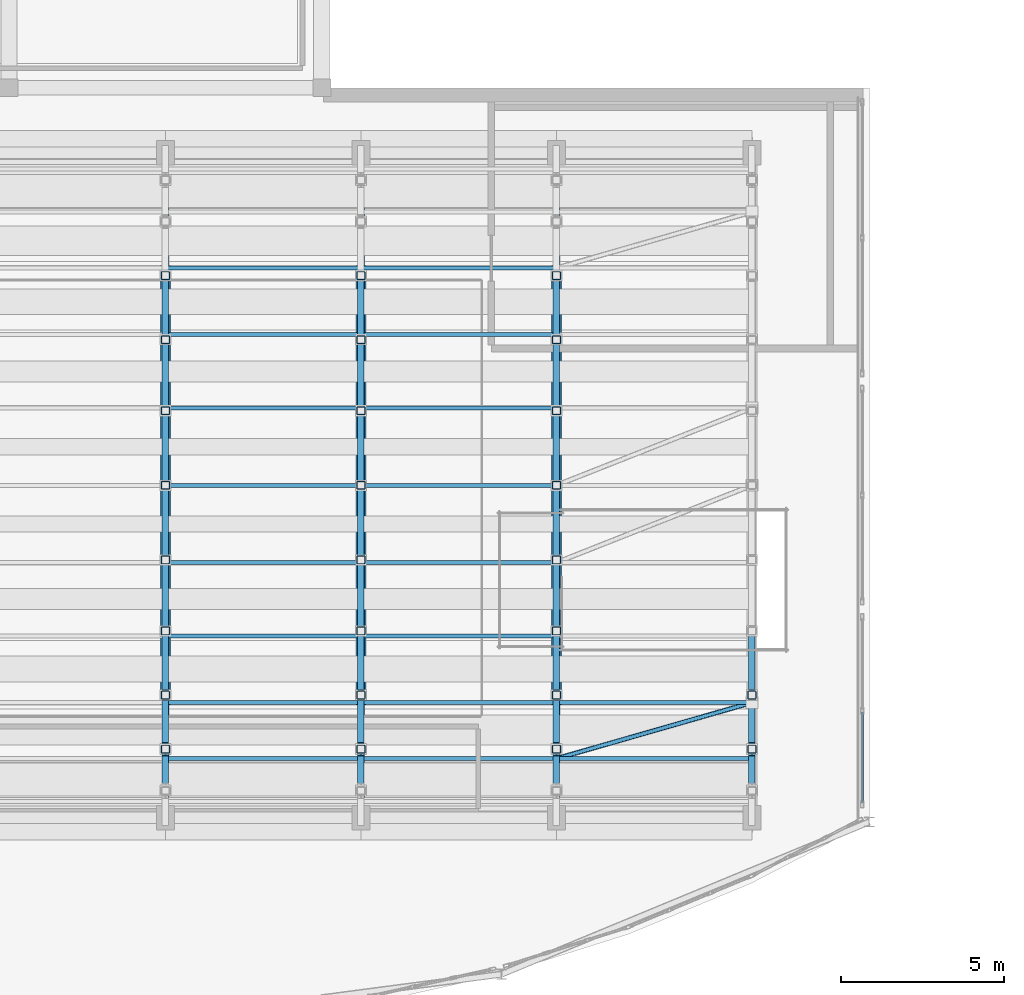
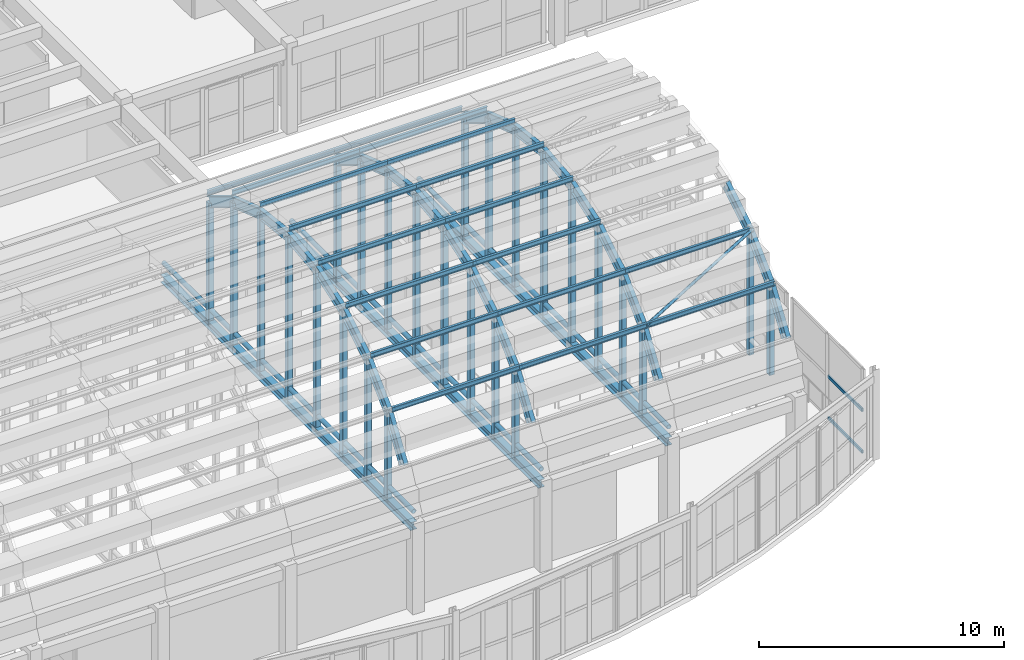
# One storey, part 12 of 91: 50 members, 30 beams, 1 element without a shape of its own.
"""IFC4 building model written with IfcOpenShell, lengths in metres."""

from ifc_helpers import new_model, si_unit, direction, frame, origin, origin_2d, place, context, subcontext, project, spatial, hollow_rectangle, hollow_circle, i_section, extrude, material, layer, layer_set, material_profile, profile_set, type_object, element, aggregate, save


model = new_model("IFC4")

# Units and contexts
model_context = context("Model", 3, precision=1e-05, world=origin(), true_north=direction((0.0, 1.0)))
body_context = subcontext(model_context, "Body", "Model", "MODEL_VIEW")
ifc_project = project(units=[si_unit("LENGTHUNIT", "METRE"), si_unit("AREAUNIT", "SQUARE_METRE"), si_unit("VOLUMEUNIT", "CUBIC_METRE"), si_unit("PLANEANGLEUNIT", "RADIAN"), si_unit("MASSUNIT", "GRAM", prefix="KILO")], contexts=[model_context])

# Site, building, storey
site_placement = place(None, origin())
site = spatial("IfcSite", under=ifc_project, at=site_placement, CompositionType="ELEMENT")
building_placement = place(site_placement, origin())
building = spatial("IfcBuilding", under=site, at=building_placement, Name="Tarnavel Promenade Courthouse", CompositionType="ELEMENT")
storey_placement = place(building_placement, frame((0.0, 0.0, 9.89990234375)))
storey = spatial("IfcBuildingStorey", under=building, at=storey_placement, Name="L03", CompositionType="ELEMENT", Elevation=9.89990234375)

# Beams
ifc_material_1 = material(Name="Steel S355J2", Category="steel")
ifc_material_profile_1 = material_profile(ifc_material_1, i_section(OverallWidth=0.199951171875, OverallDepth=0.5, WebThickness=0.01025390625, FlangeThickness=0.01611328125, FilletRadius=0.02099609375, at=origin_2d()), Name="IPE 500")
ifc_profile_set_1 = profile_set([ifc_material_profile_1], Name="Steel S355J2")
beam_type_1 = type_object("IfcBeamType", Name="Steel S355J2 BM-AR-IPE500 (IPE 500)", PredefinedType="T_BEAM", material=ifc_profile_set_1)
beam_1_placement = place(storey_placement, frame((33.60009765625, 15.62890625, 6.648193359375), z_axis=(0.0, 0.553794535045, 0.832653357019), x_axis=(-1.0, 0.0, 0.0)))
element("IfcBeam", 1, at=beam_1_placement, inside=storey, type_object=beam_type_1, Name="V4 Barrel Vault Arch Rib 05 Chord 02", PredefinedType="T_BEAM", context=body_context, shape_type="SweptSolid", body=[
    extrude(i_section(OverallWidth=0.199951171875, OverallDepth=0.5, WebThickness=0.01025390625, FlangeThickness=0.01611328125, FilletRadius=0.02099609375, at=origin_2d()), origin(), (0.0, 0.0, 1.0), 2.302490234375),
])
beam_2_placement = place(storey_placement, frame((33.60009765625, 16.904052734375, 8.5654296875), z_axis=(0.0, 0.721173265551, 0.692754733693), x_axis=(-1.0, 0.0, 0.0)))
element("IfcBeam", 2, at=beam_2_placement, inside=storey, type_object=beam_type_1, Name="V4 Barrel Vault Arch Rib 05 Chord 03", PredefinedType="T_BEAM", context=body_context, shape_type="SweptSolid", body=[
    extrude(i_section(OverallWidth=0.199951171875, OverallDepth=0.5, WebThickness=0.01025390625, FlangeThickness=0.01611328125, FilletRadius=0.02099609375, at=origin_2d()), origin(), (0.0, 0.0, 1.0), 2.30224609375),
])
for number, where, z_axis, x_axis, name in (
    (3, (33.60009765625, 18.564453125, 10.160400390625), (0.0, 0.854305009105, 0.519772018696), (-1.0, 0.0, 0.0), "V4 Barrel Vault Arch Rib 05 Chord 04"),
    (4, (33.60009765625, 20.531494140625, 11.357177734375), (0.0, 0.946692570393, 0.322138444092), (-1.0, 0.0, 0.0), "V4 Barrel Vault Arch Rib 05 Chord 05"),
    (5, (33.60009765625, 22.711181640625, 12.098876953125), (0.0, 0.994030256649, 0.10910476097), (-1.0, 0.0, 0.0), "V4 Barrel Vault Arch Rib 05 Chord 06"),
    (6, (33.60009765625, 25.0, 12.35009765625), (0.0, 0.994030256649, -0.10910476097), (-1.0, 0.0, 0.0), "V4 Barrel Vault Arch Rib 05 Chord 07"),
    (7, (33.60009765625, 27.288818359375, 12.098876953125), (0.0, 0.946692570393, -0.322138444092), (-1.0, 0.0, 0.0), "V4 Barrel Vault Arch Rib 05 Chord 08"),
    (8, (33.60009765625, 29.468505859375, 11.357177734375), (0.0, 0.854305009105, -0.519772018696), (-1.0, 0.0, 0.0), "V4 Barrel Vault Arch Rib 05 Chord 09"),
    (9, (39.60009765625, 15.62890625, 6.648193359375), (0.0, 0.553794535045, 0.832653357019), (-1.0, 0.0, 0.0), "V4 Barrel Vault Arch Rib 06 Chord 02"),
):
    element("IfcBeam", number, at=place(storey_placement, frame(where, z_axis=z_axis, x_axis=x_axis)), inside=storey, type_object=beam_type_1, Name=name, PredefinedType="T_BEAM", context=body_context, shape_type="SweptSolid", body=[
        extrude(i_section(OverallWidth=0.199951171875, OverallDepth=0.5, WebThickness=0.01025390625, FlangeThickness=0.01611328125, FilletRadius=0.02099609375, at=origin_2d()), origin(), (0.0, 0.0, 1.0), 2.302490234375),
    ])
beam_3_placement = place(storey_placement, frame((39.60009765625, 16.904052734375, 8.5654296875), z_axis=(0.0, 0.721173265551, 0.692754733693), x_axis=(-1.0, 0.0, 0.0)))
element("IfcBeam", 10, at=beam_3_placement, inside=storey, type_object=beam_type_1, Name="V4 Barrel Vault Arch Rib 06 Chord 03", PredefinedType="T_BEAM", context=body_context, shape_type="SweptSolid", body=[
    extrude(i_section(OverallWidth=0.199951171875, OverallDepth=0.5, WebThickness=0.01025390625, FlangeThickness=0.01611328125, FilletRadius=0.02099609375, at=origin_2d()), origin(), (0.0, 0.0, 1.0), 2.30224609375),
])
for number, where, z_axis, x_axis, name in (
    (11, (39.60009765625, 18.564453125, 10.160400390625), (0.0, 0.854305009105, 0.519772018696), (-1.0, 0.0, 0.0), "V4 Barrel Vault Arch Rib 06 Chord 04"),
    (12, (39.60009765625, 20.531494140625, 11.357177734375), (0.0, 0.946692570393, 0.322138444092), (-1.0, 0.0, 0.0), "V4 Barrel Vault Arch Rib 06 Chord 05"),
    (13, (39.60009765625, 22.711181640625, 12.098876953125), (0.0, 0.994030256649, 0.10910476097), (-1.0, 0.0, 0.0), "V4 Barrel Vault Arch Rib 06 Chord 06"),
    (14, (39.60009765625, 25.0, 12.35009765625), (0.0, 0.994030256649, -0.10910476097), (-1.0, 0.0, 0.0), "V4 Barrel Vault Arch Rib 06 Chord 07"),
    (15, (39.60009765625, 27.288818359375, 12.098876953125), (0.0, 0.946692570393, -0.322138444092), (-1.0, 0.0, 0.0), "V4 Barrel Vault Arch Rib 06 Chord 08"),
    (16, (39.60009765625, 29.468505859375, 11.357177734375), (0.0, 0.854305009105, -0.519772018696), (-1.0, 0.0, 0.0), "V4 Barrel Vault Arch Rib 06 Chord 09"),
    (17, (45.60009765625, 15.62890625, 6.648193359375), (0.0, 0.553794535045, 0.832653357019), (-1.0, 0.0, 0.0), "V4 Barrel Vault Arch Rib 07 Chord 02"),
):
    element("IfcBeam", number, at=place(storey_placement, frame(where, z_axis=z_axis, x_axis=x_axis)), inside=storey, type_object=beam_type_1, Name=name, PredefinedType="T_BEAM", context=body_context, shape_type="SweptSolid", body=[
        extrude(i_section(OverallWidth=0.199951171875, OverallDepth=0.5, WebThickness=0.01025390625, FlangeThickness=0.01611328125, FilletRadius=0.02099609375, at=origin_2d()), origin(), (0.0, 0.0, 1.0), 2.302490234375),
    ])
beam_4_placement = place(storey_placement, frame((45.60009765625, 16.904052734375, 8.5654296875), z_axis=(0.0, 0.721173265551, 0.692754733693), x_axis=(-1.0, 0.0, 0.0)))
element("IfcBeam", 18, at=beam_4_placement, inside=storey, type_object=beam_type_1, Name="V4 Barrel Vault Arch Rib 07 Chord 03", PredefinedType="T_BEAM", context=body_context, shape_type="SweptSolid", body=[
    extrude(i_section(OverallWidth=0.199951171875, OverallDepth=0.5, WebThickness=0.01025390625, FlangeThickness=0.01611328125, FilletRadius=0.02099609375, at=origin_2d()), origin(), (0.0, 0.0, 1.0), 2.30224609375),
])
for number, where, z_axis, x_axis, name in (
    (19, (45.60009765625, 18.564453125, 10.160400390625), (0.0, 0.854305009105, 0.519772018696), (-1.0, 0.0, 0.0), "V4 Barrel Vault Arch Rib 07 Chord 04"),
    (20, (45.60009765625, 20.531494140625, 11.357177734375), (0.0, 0.946692570393, 0.322138444092), (-1.0, 0.0, 0.0), "V4 Barrel Vault Arch Rib 07 Chord 05"),
    (21, (45.60009765625, 22.711181640625, 12.098876953125), (0.0, 0.994030256649, 0.10910476097), (-1.0, 0.0, 0.0), "V4 Barrel Vault Arch Rib 07 Chord 06"),
    (22, (45.60009765625, 25.0, 12.35009765625), (0.0, 0.994030256649, -0.10910476097), (-1.0, 0.0, 0.0), "V4 Barrel Vault Arch Rib 07 Chord 07"),
    (23, (45.60009765625, 27.288818359375, 12.098876953125), (0.0, 0.946692570393, -0.322138444092), (-1.0, 0.0, 0.0), "V4 Barrel Vault Arch Rib 07 Chord 08"),
    (24, (45.60009765625, 29.468505859375, 11.357177734375), (0.0, 0.854305009105, -0.519772018696), (-1.0, 0.0, 0.0), "V4 Barrel Vault Arch Rib 07 Chord 09"),
    (25, (51.60009765625, 15.62890625, 6.648193359375), (0.0, 0.553794535045, 0.832653357019), (-1.0, 0.0, 0.0), "V4 Barrel Vault Arch Rib 08 Chord 02"),
):
    element("IfcBeam", number, at=place(storey_placement, frame(where, z_axis=z_axis, x_axis=x_axis)), inside=storey, type_object=beam_type_1, Name=name, PredefinedType="T_BEAM", context=body_context, shape_type="SweptSolid", body=[
        extrude(i_section(OverallWidth=0.199951171875, OverallDepth=0.5, WebThickness=0.01025390625, FlangeThickness=0.01611328125, FilletRadius=0.02099609375, at=origin_2d()), origin(), (0.0, 0.0, 1.0), 2.302490234375),
    ])
beam_5_placement = place(storey_placement, frame((51.60009765625, 16.904052734375, 8.5654296875), z_axis=(0.0, 0.721173265551, 0.692754733693), x_axis=(-1.0, 0.0, 0.0)))
element("IfcBeam", 26, at=beam_5_placement, inside=storey, type_object=beam_type_1, Name="V4 Barrel Vault Arch Rib 08 Chord 03", PredefinedType="T_BEAM", context=body_context, shape_type="SweptSolid", body=[
    extrude(i_section(OverallWidth=0.199951171875, OverallDepth=0.5, WebThickness=0.01025390625, FlangeThickness=0.01611328125, FilletRadius=0.02099609375, at=origin_2d()), origin(), (0.0, 0.0, 1.0), 2.30224609375),
])
beam_6_placement = place(storey_placement, frame((51.60009765625, 18.564453125, 10.160400390625), z_axis=(0.0, 0.854305009105, 0.519772018696), x_axis=(-1.0, 0.0, 0.0)))
element("IfcBeam", 27, at=beam_6_placement, inside=storey, type_object=beam_type_1, Name="V4 Barrel Vault Arch Rib 08 Chord 04", PredefinedType="T_BEAM", context=body_context, shape_type="SweptSolid", body=[
    extrude(i_section(OverallWidth=0.199951171875, OverallDepth=0.5, WebThickness=0.01025390625, FlangeThickness=0.01611328125, FilletRadius=0.02099609375, at=origin_2d()), origin(), (0.0, 0.0, 1.0), 2.302490234375),
])
ifc_material_profile_2 = material_profile(ifc_material_1, i_section(OverallWidth=0.300048828125, OverallDepth=0.39990234375, WebThickness=0.013427734375, FlangeThickness=0.02392578125, FilletRadius=0.027099609375, at=origin_2d()), Name="HEB 400")
ifc_profile_set_2 = profile_set([ifc_material_profile_2], Name="Steel S355J2")
beam_type_2 = type_object("IfcBeamType", Name="Steel S355J2 BM-ST-HEB400 (HEB 400)", PredefinedType="T_BEAM", material=ifc_profile_set_2)
for number, where, z_axis, x_axis, name in (
    (28, (33.60009765625, 14.800048828125, 4.1201171875), (0.0, 1.0, 0.0), (-1.0, 0.0, 0.0), "V4 Barrel Vault Tie Girder 05"),
    (29, (39.60009765625, 14.800048828125, 4.1201171875), (0.0, 1.0, 0.0), (-1.0, 0.0, 0.0), "V4 Barrel Vault Tie Girder 06"),
    (30, (45.60009765625, 14.800048828125, 4.1201171875), (0.0, 1.0, 0.0), (-1.0, 0.0, 0.0), "V4 Barrel Vault Tie Girder 07"),
):
    element("IfcBeam", number, at=place(storey_placement, frame(where, z_axis=z_axis, x_axis=x_axis)), inside=storey, type_object=beam_type_2, Name=name, PredefinedType="T_BEAM", context=body_context, shape_type="SweptSolid", body=[
        extrude(i_section(OverallWidth=0.300048828125, OverallDepth=0.39990234375, WebThickness=0.013427734375, FlangeThickness=0.02392578125, FilletRadius=0.027099609375, at=origin_2d()), origin(), (0.0, 0.0, 1.0), 20.39990234375),
    ])

# Members
ifc_material_profile_3 = material_profile(ifc_material_1, hollow_circle(Radius=0.06982421875, WallThickness=0.008056640625, at=origin_2d()), Name="CHS 139.7x8")
ifc_profile_set_3 = profile_set([ifc_material_profile_3], Name="Steel S355J2")
member_type_1 = type_object("IfcMemberType", Name="Steel S355J2 MEM-BR-CHS140 (CHS 139.7x8)", PredefinedType="BRACE", material=ifc_profile_set_3)
member_1_placement = place(storey_placement, frame((45.60009765625, 16.6123046875, 8.80908203125), z_axis=(0.929253407327, 0.266457062233, 0.255907676627), x_axis=(-0.27563538244, 0.961262261793, 0.0)))
element("IfcMember", 31, at=member_1_placement, inside=storey, type_object=member_type_1, Name="V4 Barrel Vault Roof Brace 07-02", PredefinedType="BRACE", context=body_context, shape_type="SweptSolid", body=[
    extrude(hollow_circle(Radius=0.06982421875, WallThickness=0.008056640625, at=origin_2d()), origin(), (0.0, 0.0, 1.0), 6.456787109375),
])
ifc_material_profile_4 = material_profile(ifc_material_1, i_section(OverallWidth=0.1201171875, OverallDepth=0.239990234375, WebThickness=0.006103515625, FlangeThickness=0.009765625, FilletRadius=0.014892578125, at=origin_2d()), Name="IPE 240")
ifc_profile_set_4 = profile_set([ifc_material_profile_4], Name="Steel S355J2")
member_type_2 = type_object("IfcMemberType", Name="Steel S355J2 MEM-PUR-IPE240 (IPE 240)", PredefinedType="PURLIN", material=ifc_profile_set_4)
for number, where, z_axis, x_axis, name in (
    (32, (33.60009765625, 16.6123046875, 8.80908203125), (1.0, 0.0, 0.0), (0.0, 1.0, 0.0), "V4 Barrel Vault Purlin 05-02"),
    (33, (33.60009765625, 18.332763671875, 10.46142578125), (1.0, 0.0, 0.0), (0.0, 1.0, 0.0), "V4 Barrel Vault Purlin 05-03"),
    (34, (33.60009765625, 20.37060546875, 11.701416015625), (1.0, 0.0, 0.0), (0.0, 1.0, 0.0), "V4 Barrel Vault Purlin 05-04"),
    (35, (33.60009765625, 22.62890625, 12.4697265625), (1.0, 0.0, 0.0), (0.0, 1.0, 0.0), "V4 Barrel Vault Purlin 05-05"),
    (36, (33.60009765625, 25.0, 12.72998046875), (1.0, 0.0, 0.0), (0.0, 1.0, 0.0), "V4 Barrel Vault Purlin 05-06"),
    (37, (33.60009765625, 27.37109375, 12.4697265625), (1.0, 0.0, 0.0), (0.0, 1.0, 0.0), "V4 Barrel Vault Purlin 05-07"),
    (38, (33.60009765625, 29.62939453125, 11.701416015625), (1.0, 0.0, 0.0), (0.0, 1.0, 0.0), "V4 Barrel Vault Purlin 05-08"),
    (39, (33.60009765625, 31.667236328125, 10.46142578125), (1.0, 0.0, 0.0), (0.0, 1.0, 0.0), "V4 Barrel Vault Purlin 05-09"),
    (40, (39.60009765625, 16.6123046875, 8.80908203125), (1.0, 0.0, 0.0), (0.0, 1.0, 0.0), "V4 Barrel Vault Purlin 06-02"),
    (41, (39.60009765625, 18.332763671875, 10.46142578125), (1.0, 0.0, 0.0), (0.0, 1.0, 0.0), "V4 Barrel Vault Purlin 06-03"),
    (42, (39.60009765625, 20.37060546875, 11.701416015625), (1.0, 0.0, 0.0), (0.0, 1.0, 0.0), "V4 Barrel Vault Purlin 06-04"),
    (43, (39.60009765625, 22.62890625, 12.4697265625), (1.0, 0.0, 0.0), (0.0, 1.0, 0.0), "V4 Barrel Vault Purlin 06-05"),
    (44, (39.60009765625, 25.0, 12.72998046875), (1.0, 0.0, 0.0), (0.0, 1.0, 0.0), "V4 Barrel Vault Purlin 06-06"),
    (45, (39.60009765625, 27.37109375, 12.4697265625), (1.0, 0.0, 0.0), (0.0, 1.0, 0.0), "V4 Barrel Vault Purlin 06-07"),
    (46, (39.60009765625, 29.62939453125, 11.701416015625), (1.0, 0.0, 0.0), (0.0, 1.0, 0.0), "V4 Barrel Vault Purlin 06-08"),
    (47, (39.60009765625, 31.667236328125, 10.46142578125), (1.0, 0.0, 0.0), (0.0, 1.0, 0.0), "V4 Barrel Vault Purlin 06-09"),
    (48, (45.60009765625, 16.6123046875, 8.80908203125), (1.0, 0.0, 0.0), (0.0, 1.0, 0.0), "V4 Barrel Vault Purlin 07-02"),
    (49, (45.60009765625, 18.332763671875, 10.46142578125), (1.0, 0.0, 0.0), (0.0, 1.0, 0.0), "V4 Barrel Vault Purlin 07-03"),
):
    element("IfcMember", number, at=place(storey_placement, frame(where, z_axis=z_axis, x_axis=x_axis)), inside=storey, type_object=member_type_2, Name=name, PredefinedType="PURLIN", context=body_context, shape_type="SweptSolid", body=[
        extrude(i_section(OverallWidth=0.1201171875, OverallDepth=0.239990234375, WebThickness=0.006103515625, FlangeThickness=0.009765625, FilletRadius=0.014892578125, at=origin_2d()), origin(), (0.0, 0.0, 1.0), 6.0),
    ])
ifc_material_profile_5 = material_profile(ifc_material_1, hollow_rectangle(XDim=0.25, YDim=0.25, WallThickness=0.012451171875, InnerFilletRadius=0.012451171875, OuterFilletRadius=0.02490234375, at=origin_2d()), Name="SHS 250x250x12.5")
ifc_profile_set_5 = profile_set([ifc_material_profile_5], Name="Steel S355J2")
member_type_3 = type_object("IfcMemberType", Name="Steel S355J2 MEM-STR-SHS250 (SHS 250x250x12.5)", PredefinedType="STRUT", material=ifc_profile_set_5)
member_2_placement = place(storey_placement, frame((33.60009765625, 16.904052734375, 4.1201171875), z_axis=(0.0, 0.0, 1.0), x_axis=(1.0, 0.0, 0.0)))
element("IfcMember", 50, at=member_2_placement, inside=storey, type_object=member_type_3, Name="V4 Vault Arch Web Strut 05-02", PredefinedType="STRUT", context=body_context, shape_type="SweptSolid", body=[
    extrude(hollow_rectangle(XDim=0.25, YDim=0.25, WallThickness=0.012451171875, InnerFilletRadius=0.012451171875, OuterFilletRadius=0.02490234375, at=origin_2d()), origin(), (0.0, 0.0, 1.0), 4.4453125),
])
member_3_placement = place(storey_placement, frame((33.60009765625, 18.564453125, 4.1201171875), z_axis=(0.0, 0.0, 1.0), x_axis=(1.0, 0.0, 0.0)))
element("IfcMember", 51, at=member_3_placement, inside=storey, type_object=member_type_3, Name="V4 Vault Arch Web Strut 05-03", PredefinedType="STRUT", context=body_context, shape_type="SweptSolid", body=[
    extrude(hollow_rectangle(XDim=0.25, YDim=0.25, WallThickness=0.012451171875, InnerFilletRadius=0.012451171875, OuterFilletRadius=0.02490234375, at=origin_2d()), origin(), (0.0, 0.0, 1.0), 6.040283203125),
])
member_4_placement = place(storey_placement, frame((33.60009765625, 20.531494140625, 4.1201171875), z_axis=(0.0, 0.0, 1.0), x_axis=(1.0, 0.0, 0.0)))
element("IfcMember", 52, at=member_4_placement, inside=storey, type_object=member_type_3, Name="V4 Vault Arch Web Strut 05-04", PredefinedType="STRUT", context=body_context, shape_type="SweptSolid", body=[
    extrude(hollow_rectangle(XDim=0.25, YDim=0.25, WallThickness=0.012451171875, InnerFilletRadius=0.012451171875, OuterFilletRadius=0.02490234375, at=origin_2d()), origin(), (0.0, 0.0, 1.0), 7.237060546875),
])
member_5_placement = place(storey_placement, frame((33.60009765625, 22.711181640625, 4.1201171875), z_axis=(0.0, 0.0, 1.0), x_axis=(1.0, 0.0, 0.0)))
element("IfcMember", 53, at=member_5_placement, inside=storey, type_object=member_type_3, Name="V4 Vault Arch Web Strut 05-05", PredefinedType="STRUT", context=body_context, shape_type="SweptSolid", body=[
    extrude(hollow_rectangle(XDim=0.25, YDim=0.25, WallThickness=0.012451171875, InnerFilletRadius=0.012451171875, OuterFilletRadius=0.02490234375, at=origin_2d()), origin(), (0.0, 0.0, 1.0), 7.978759765625),
])
member_6_placement = place(storey_placement, frame((33.60009765625, 25.0, 4.1201171875), z_axis=(0.0, 0.0, 1.0), x_axis=(1.0, 0.0, 0.0)))
element("IfcMember", 54, at=member_6_placement, inside=storey, type_object=member_type_3, Name="V4 Vault Arch Web Strut 05-06", PredefinedType="STRUT", context=body_context, shape_type="SweptSolid", body=[
    extrude(hollow_rectangle(XDim=0.25, YDim=0.25, WallThickness=0.012451171875, InnerFilletRadius=0.012451171875, OuterFilletRadius=0.02490234375, at=origin_2d()), origin(), (0.0, 0.0, 1.0), 8.22998046875),
])
member_7_placement = place(storey_placement, frame((33.60009765625, 27.288818359375, 4.1201171875), z_axis=(0.0, 0.0, 1.0), x_axis=(1.0, 0.0, 0.0)))
element("IfcMember", 55, at=member_7_placement, inside=storey, type_object=member_type_3, Name="V4 Vault Arch Web Strut 05-07", PredefinedType="STRUT", context=body_context, shape_type="SweptSolid", body=[
    extrude(hollow_rectangle(XDim=0.25, YDim=0.25, WallThickness=0.012451171875, InnerFilletRadius=0.012451171875, OuterFilletRadius=0.02490234375, at=origin_2d()), origin(), (0.0, 0.0, 1.0), 7.978759765625),
])
member_8_placement = place(storey_placement, frame((33.60009765625, 29.468505859375, 4.1201171875), z_axis=(0.0, 0.0, 1.0), x_axis=(1.0, 0.0, 0.0)))
element("IfcMember", 56, at=member_8_placement, inside=storey, type_object=member_type_3, Name="V4 Vault Arch Web Strut 05-08", PredefinedType="STRUT", context=body_context, shape_type="SweptSolid", body=[
    extrude(hollow_rectangle(XDim=0.25, YDim=0.25, WallThickness=0.012451171875, InnerFilletRadius=0.012451171875, OuterFilletRadius=0.02490234375, at=origin_2d()), origin(), (0.0, 0.0, 1.0), 7.237060546875),
])
member_9_placement = place(storey_placement, frame((33.60009765625, 31.435546875, 4.1201171875), z_axis=(0.0, 0.0, 1.0), x_axis=(1.0, 0.0, 0.0)))
element("IfcMember", 57, at=member_9_placement, inside=storey, type_object=member_type_3, Name="V4 Vault Arch Web Strut 05-09", PredefinedType="STRUT", context=body_context, shape_type="SweptSolid", body=[
    extrude(hollow_rectangle(XDim=0.25, YDim=0.25, WallThickness=0.012451171875, InnerFilletRadius=0.012451171875, OuterFilletRadius=0.02490234375, at=origin_2d()), origin(), (0.0, 0.0, 1.0), 6.040283203125),
])
member_10_placement = place(storey_placement, frame((39.60009765625, 16.904052734375, 4.1201171875), z_axis=(0.0, 0.0, 1.0), x_axis=(1.0, 0.0, 0.0)))
element("IfcMember", 58, at=member_10_placement, inside=storey, type_object=member_type_3, Name="V4 Vault Arch Web Strut 06-02", PredefinedType="STRUT", context=body_context, shape_type="SweptSolid", body=[
    extrude(hollow_rectangle(XDim=0.25, YDim=0.25, WallThickness=0.012451171875, InnerFilletRadius=0.012451171875, OuterFilletRadius=0.02490234375, at=origin_2d()), origin(), (0.0, 0.0, 1.0), 4.4453125),
])
member_11_placement = place(storey_placement, frame((39.60009765625, 18.564453125, 4.1201171875), z_axis=(0.0, 0.0, 1.0), x_axis=(1.0, 0.0, 0.0)))
element("IfcMember", 59, at=member_11_placement, inside=storey, type_object=member_type_3, Name="V4 Vault Arch Web Strut 06-03", PredefinedType="STRUT", context=body_context, shape_type="SweptSolid", body=[
    extrude(hollow_rectangle(XDim=0.25, YDim=0.25, WallThickness=0.012451171875, InnerFilletRadius=0.012451171875, OuterFilletRadius=0.02490234375, at=origin_2d()), origin(), (0.0, 0.0, 1.0), 6.040283203125),
])
member_12_placement = place(storey_placement, frame((39.60009765625, 20.531494140625, 4.1201171875), z_axis=(0.0, 0.0, 1.0), x_axis=(1.0, 0.0, 0.0)))
element("IfcMember", 60, at=member_12_placement, inside=storey, type_object=member_type_3, Name="V4 Vault Arch Web Strut 06-04", PredefinedType="STRUT", context=body_context, shape_type="SweptSolid", body=[
    extrude(hollow_rectangle(XDim=0.25, YDim=0.25, WallThickness=0.012451171875, InnerFilletRadius=0.012451171875, OuterFilletRadius=0.02490234375, at=origin_2d()), origin(), (0.0, 0.0, 1.0), 7.237060546875),
])
member_13_placement = place(storey_placement, frame((39.60009765625, 22.711181640625, 4.1201171875), z_axis=(0.0, 0.0, 1.0), x_axis=(1.0, 0.0, 0.0)))
element("IfcMember", 61, at=member_13_placement, inside=storey, type_object=member_type_3, Name="V4 Vault Arch Web Strut 06-05", PredefinedType="STRUT", context=body_context, shape_type="SweptSolid", body=[
    extrude(hollow_rectangle(XDim=0.25, YDim=0.25, WallThickness=0.012451171875, InnerFilletRadius=0.012451171875, OuterFilletRadius=0.02490234375, at=origin_2d()), origin(), (0.0, 0.0, 1.0), 7.978759765625),
])
member_14_placement = place(storey_placement, frame((39.60009765625, 25.0, 4.1201171875), z_axis=(0.0, 0.0, 1.0), x_axis=(1.0, 0.0, 0.0)))
element("IfcMember", 62, at=member_14_placement, inside=storey, type_object=member_type_3, Name="V4 Vault Arch Web Strut 06-06", PredefinedType="STRUT", context=body_context, shape_type="SweptSolid", body=[
    extrude(hollow_rectangle(XDim=0.25, YDim=0.25, WallThickness=0.012451171875, InnerFilletRadius=0.012451171875, OuterFilletRadius=0.02490234375, at=origin_2d()), origin(), (0.0, 0.0, 1.0), 8.22998046875),
])
member_15_placement = place(storey_placement, frame((39.60009765625, 27.288818359375, 4.1201171875), z_axis=(0.0, 0.0, 1.0), x_axis=(1.0, 0.0, 0.0)))
element("IfcMember", 63, at=member_15_placement, inside=storey, type_object=member_type_3, Name="V4 Vault Arch Web Strut 06-07", PredefinedType="STRUT", context=body_context, shape_type="SweptSolid", body=[
    extrude(hollow_rectangle(XDim=0.25, YDim=0.25, WallThickness=0.012451171875, InnerFilletRadius=0.012451171875, OuterFilletRadius=0.02490234375, at=origin_2d()), origin(), (0.0, 0.0, 1.0), 7.978759765625),
])
member_16_placement = place(storey_placement, frame((39.60009765625, 29.468505859375, 4.1201171875), z_axis=(0.0, 0.0, 1.0), x_axis=(1.0, 0.0, 0.0)))
element("IfcMember", 64, at=member_16_placement, inside=storey, type_object=member_type_3, Name="V4 Vault Arch Web Strut 06-08", PredefinedType="STRUT", context=body_context, shape_type="SweptSolid", body=[
    extrude(hollow_rectangle(XDim=0.25, YDim=0.25, WallThickness=0.012451171875, InnerFilletRadius=0.012451171875, OuterFilletRadius=0.02490234375, at=origin_2d()), origin(), (0.0, 0.0, 1.0), 7.237060546875),
])
member_17_placement = place(storey_placement, frame((39.60009765625, 31.435546875, 4.1201171875), z_axis=(0.0, 0.0, 1.0), x_axis=(1.0, 0.0, 0.0)))
element("IfcMember", 65, at=member_17_placement, inside=storey, type_object=member_type_3, Name="V4 Vault Arch Web Strut 06-09", PredefinedType="STRUT", context=body_context, shape_type="SweptSolid", body=[
    extrude(hollow_rectangle(XDim=0.25, YDim=0.25, WallThickness=0.012451171875, InnerFilletRadius=0.012451171875, OuterFilletRadius=0.02490234375, at=origin_2d()), origin(), (0.0, 0.0, 1.0), 6.040283203125),
])
member_18_placement = place(storey_placement, frame((45.60009765625, 16.904052734375, 4.1201171875), z_axis=(0.0, 0.0, 1.0), x_axis=(1.0, 0.0, 0.0)))
element("IfcMember", 66, at=member_18_placement, inside=storey, type_object=member_type_3, Name="V4 Vault Arch Web Strut 07-02", PredefinedType="STRUT", context=body_context, shape_type="SweptSolid", body=[
    extrude(hollow_rectangle(XDim=0.25, YDim=0.25, WallThickness=0.012451171875, InnerFilletRadius=0.012451171875, OuterFilletRadius=0.02490234375, at=origin_2d()), origin(), (0.0, 0.0, 1.0), 4.4453125),
])
member_19_placement = place(storey_placement, frame((45.60009765625, 18.564453125, 4.1201171875), z_axis=(0.0, 0.0, 1.0), x_axis=(1.0, 0.0, 0.0)))
element("IfcMember", 67, at=member_19_placement, inside=storey, type_object=member_type_3, Name="V4 Vault Arch Web Strut 07-03", PredefinedType="STRUT", context=body_context, shape_type="SweptSolid", body=[
    extrude(hollow_rectangle(XDim=0.25, YDim=0.25, WallThickness=0.012451171875, InnerFilletRadius=0.012451171875, OuterFilletRadius=0.02490234375, at=origin_2d()), origin(), (0.0, 0.0, 1.0), 6.040283203125),
])
member_20_placement = place(storey_placement, frame((45.60009765625, 20.531494140625, 4.1201171875), z_axis=(0.0, 0.0, 1.0), x_axis=(1.0, 0.0, 0.0)))
element("IfcMember", 68, at=member_20_placement, inside=storey, type_object=member_type_3, Name="V4 Vault Arch Web Strut 07-04", PredefinedType="STRUT", context=body_context, shape_type="SweptSolid", body=[
    extrude(hollow_rectangle(XDim=0.25, YDim=0.25, WallThickness=0.012451171875, InnerFilletRadius=0.012451171875, OuterFilletRadius=0.02490234375, at=origin_2d()), origin(), (0.0, 0.0, 1.0), 7.237060546875),
])
member_21_placement = place(storey_placement, frame((45.60009765625, 22.711181640625, 4.1201171875), z_axis=(0.0, 0.0, 1.0), x_axis=(1.0, 0.0, 0.0)))
element("IfcMember", 69, at=member_21_placement, inside=storey, type_object=member_type_3, Name="V4 Vault Arch Web Strut 07-05", PredefinedType="STRUT", context=body_context, shape_type="SweptSolid", body=[
    extrude(hollow_rectangle(XDim=0.25, YDim=0.25, WallThickness=0.012451171875, InnerFilletRadius=0.012451171875, OuterFilletRadius=0.02490234375, at=origin_2d()), origin(), (0.0, 0.0, 1.0), 7.978759765625),
])
member_22_placement = place(storey_placement, frame((45.60009765625, 25.0, 4.1201171875), z_axis=(0.0, 0.0, 1.0), x_axis=(1.0, 0.0, 0.0)))
element("IfcMember", 70, at=member_22_placement, inside=storey, type_object=member_type_3, Name="V4 Vault Arch Web Strut 07-06", PredefinedType="STRUT", context=body_context, shape_type="SweptSolid", body=[
    extrude(hollow_rectangle(XDim=0.25, YDim=0.25, WallThickness=0.012451171875, InnerFilletRadius=0.012451171875, OuterFilletRadius=0.02490234375, at=origin_2d()), origin(), (0.0, 0.0, 1.0), 8.22998046875),
])
member_23_placement = place(storey_placement, frame((45.60009765625, 27.288818359375, 4.1201171875), z_axis=(0.0, 0.0, 1.0), x_axis=(1.0, 0.0, 0.0)))
element("IfcMember", 71, at=member_23_placement, inside=storey, type_object=member_type_3, Name="V4 Vault Arch Web Strut 07-07", PredefinedType="STRUT", context=body_context, shape_type="SweptSolid", body=[
    extrude(hollow_rectangle(XDim=0.25, YDim=0.25, WallThickness=0.012451171875, InnerFilletRadius=0.012451171875, OuterFilletRadius=0.02490234375, at=origin_2d()), origin(), (0.0, 0.0, 1.0), 7.978759765625),
])
member_24_placement = place(storey_placement, frame((45.60009765625, 29.468505859375, 4.1201171875), z_axis=(0.0, 0.0, 1.0), x_axis=(1.0, 0.0, 0.0)))
element("IfcMember", 72, at=member_24_placement, inside=storey, type_object=member_type_3, Name="V4 Vault Arch Web Strut 07-08", PredefinedType="STRUT", context=body_context, shape_type="SweptSolid", body=[
    extrude(hollow_rectangle(XDim=0.25, YDim=0.25, WallThickness=0.012451171875, InnerFilletRadius=0.012451171875, OuterFilletRadius=0.02490234375, at=origin_2d()), origin(), (0.0, 0.0, 1.0), 7.237060546875),
])
member_25_placement = place(storey_placement, frame((45.60009765625, 31.435546875, 4.1201171875), z_axis=(0.0, 0.0, 1.0), x_axis=(1.0, 0.0, 0.0)))
element("IfcMember", 73, at=member_25_placement, inside=storey, type_object=member_type_3, Name="V4 Vault Arch Web Strut 07-09", PredefinedType="STRUT", context=body_context, shape_type="SweptSolid", body=[
    extrude(hollow_rectangle(XDim=0.25, YDim=0.25, WallThickness=0.012451171875, InnerFilletRadius=0.012451171875, OuterFilletRadius=0.02490234375, at=origin_2d()), origin(), (0.0, 0.0, 1.0), 6.040283203125),
])
member_26_placement = place(storey_placement, frame((51.60009765625, 16.904052734375, 4.1201171875), z_axis=(0.0, 0.0, 1.0), x_axis=(1.0, 0.0, 0.0)))
element("IfcMember", 74, at=member_26_placement, inside=storey, type_object=member_type_3, Name="V4 Vault Arch Web Strut 08-02", PredefinedType="STRUT", context=body_context, shape_type="SweptSolid", body=[
    extrude(hollow_rectangle(XDim=0.25, YDim=0.25, WallThickness=0.012451171875, InnerFilletRadius=0.012451171875, OuterFilletRadius=0.02490234375, at=origin_2d()), origin(), (0.0, 0.0, 1.0), 4.4453125),
])
member_27_placement = place(storey_placement, frame((51.60009765625, 18.564453125, 4.1201171875), z_axis=(0.0, 0.0, 1.0), x_axis=(1.0, 0.0, 0.0)))
element("IfcMember", 75, at=member_27_placement, inside=storey, type_object=member_type_3, Name="V4 Vault Arch Web Strut 08-03", PredefinedType="STRUT", context=body_context, shape_type="SweptSolid", body=[
    extrude(hollow_rectangle(XDim=0.25, YDim=0.25, WallThickness=0.012451171875, InnerFilletRadius=0.012451171875, OuterFilletRadius=0.02490234375, at=origin_2d()), origin(), (0.0, 0.0, 1.0), 6.040283203125),
])
ifc_material_profile_6 = material_profile(ifc_material_1, hollow_circle(Radius=0.109619140625, WallThickness=0.010009765625, at=origin_2d()), Name="CHS 219.1x10")
ifc_profile_set_6 = profile_set([ifc_material_profile_6], Name="Steel S355J2")
member_type_4 = type_object("IfcMemberType", Name="Steel S355J2 MEM-TIE-CHS219 (CHS 219.1x10)", PredefinedType="CHORD", material=ifc_profile_set_6)
for number, where, z_axis, x_axis, name in (
    (76, (33.60009765625, 14.800048828125, 4.840087890625), (0.0, 1.0, 0.0), (-1.0, 0.0, 0.0), "V4 Barrel Vault Springline Tie Rod 05"),
    (77, (39.60009765625, 14.800048828125, 4.840087890625), (0.0, 1.0, 0.0), (-1.0, 0.0, 0.0), "V4 Barrel Vault Springline Tie Rod 06"),
    (78, (45.60009765625, 14.800048828125, 4.840087890625), (0.0, 1.0, 0.0), (-1.0, 0.0, 0.0), "V4 Barrel Vault Springline Tie Rod 07"),
):
    element("IfcMember", number, at=place(storey_placement, frame(where, z_axis=z_axis, x_axis=x_axis)), inside=storey, type_object=member_type_4, Name=name, PredefinedType="CHORD", context=body_context, shape_type="SweptSolid", body=[
        extrude(hollow_circle(Radius=0.109619140625, WallThickness=0.010009765625, at=origin_2d()), origin(), (0.0, 0.0, 1.0), 20.39990234375),
    ])

# Curtain wall, members
ifc_material_2 = material(Name="Thermally Broken Anodised Aluminium Curtain Wall System", Category="aluminium")
ifc_layer = layer(ifc_material_2, 0.219970703125)
ifc_layer_set = layer_set([ifc_layer], Name="Thermally Broken Anodised Aluminium Curtain Wall System")
curtain_wall_type = type_object("IfcCurtainWallType", Name="Thermally Broken Aluminium Triple-Glazed Curtain Wall CW-DRUM", PredefinedType="NOTDEFINED", material=ifc_layer_set)
curtain_wall_placement = place(storey_placement, origin())
curtain_wall = element("IfcCurtainWall", 79, at=curtain_wall_placement, inside=storey, type_object=curtain_wall_type, Name="L03 Public Drum East Return Curtain Wall 039", PredefinedType="NOTDEFINED")
ifc_material_3 = material(Name="Thermally Broken Anodised Aluminium Frame", Category="aluminium")
ifc_material_profile_7 = material_profile(ifc_material_3, hollow_rectangle(XDim=0.080078125, YDim=0.159912109375, WallThickness=0.0048828125, InnerFilletRadius=0.0048828125, OuterFilletRadius=0.010009765625, at=origin_2d()), Name="CWT 160x80x5")
ifc_profile_set_7 = profile_set([ifc_material_profile_7], Name="Thermally Broken Anodised Aluminium Frame")
member_type_5 = type_object("IfcMemberType", Name="Thermally Broken Anodised Aluminium CWT-145 (CWT 160x80x5)", PredefinedType="USERDEFINED", material=ifc_profile_set_7)
member_28_placement = place(storey_placement, frame((54.97998046875, 15.260009765625, 0.0400390625), z_axis=(0.0, 1.0, 0.0), x_axis=(-1.0, 0.0, 0.0)))
member_28 = element("IfcMember", 80, at=member_28_placement, type_object=member_type_5, Name="CW-01 transom 1.1", ObjectType="TRANSOM", PredefinedType="USERDEFINED", context=body_context, shape_type="SweptSolid", body=[
    extrude(hollow_rectangle(XDim=0.080078125, YDim=0.159912109375, WallThickness=0.0048828125, InnerFilletRadius=0.0048828125, OuterFilletRadius=0.010009765625, at=origin_2d()), origin(), (0.0, 0.0, 1.0), 2.780029296875),
])
member_29_placement = place(storey_placement, frame((54.97998046875, 15.260009765625, 2.110107421875), z_axis=(0.0, 1.0, 0.0), x_axis=(-1.0, 0.0, 0.0)))
member_29 = element("IfcMember", 81, at=member_29_placement, type_object=member_type_5, Name="CW-01 transom 1.2", ObjectType="TRANSOM", PredefinedType="USERDEFINED", context=body_context, shape_type="SweptSolid", body=[
    extrude(hollow_rectangle(XDim=0.080078125, YDim=0.159912109375, WallThickness=0.0048828125, InnerFilletRadius=0.0048828125, OuterFilletRadius=0.010009765625, at=origin_2d()), origin(), (0.0, 0.0, 1.0), 2.780029296875),
])
aggregate(curtain_wall, [member_28, member_29])

save(model, "model.ifc")
